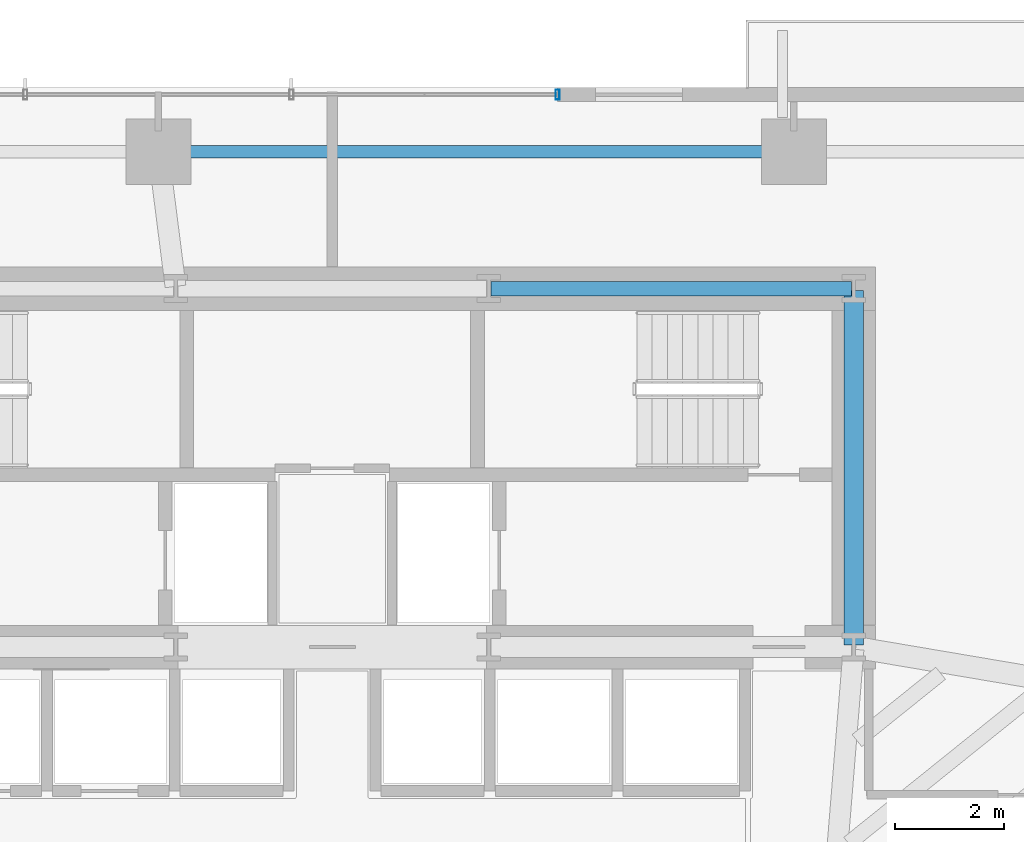
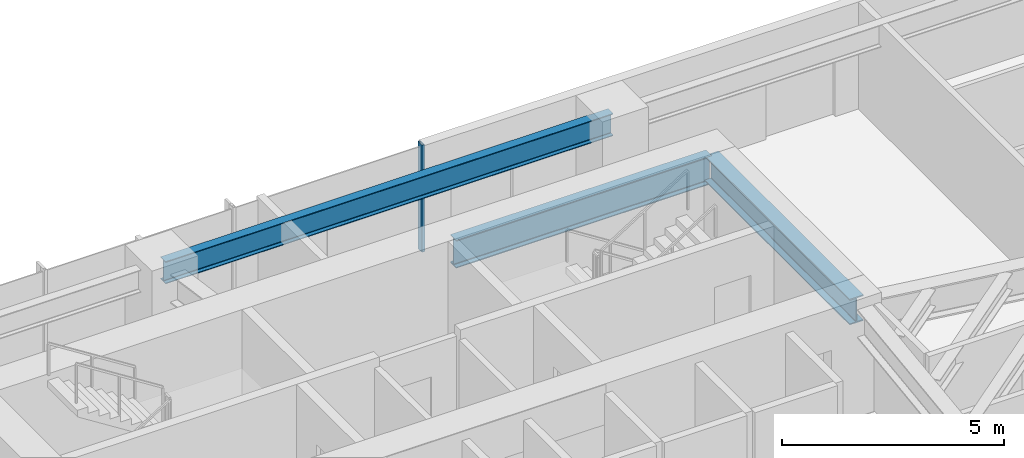
# One storey, part 15 of 25: 3 beams, 1 member, 1 element without a shape of its own.
"""IFC4 building model written with IfcOpenShell, lengths in metres."""

from ifc_helpers import new_model, si_unit, direction, frame, origin, origin_2d, place, context, subcontext, project, spatial, hollow_rectangle, i_section, extrude, source, transform, mapped, material, material_profile, profile_set, type_object, type_shapes, element, aggregate, save


model = new_model("IFC4")

# Units and contexts
model_context = context("Model", 3, precision=1e-05, world=origin(), true_north=direction((0.0, 1.0)))
body_context = subcontext(model_context, "Body", "Model", "MODEL_VIEW")
ifc_project = project(units=[si_unit("LENGTHUNIT", "METRE"), si_unit("AREAUNIT", "SQUARE_METRE"), si_unit("VOLUMEUNIT", "CUBIC_METRE"), si_unit("PLANEANGLEUNIT", "RADIAN"), si_unit("MASSUNIT", "GRAM", prefix="KILO")], contexts=[model_context])

# Site, building, storey
site_placement = place(None, origin())
site = spatial("IfcSite", under=ifc_project, at=site_placement, CompositionType="ELEMENT")
building_placement = place(site_placement, origin())
building = spatial("IfcBuilding", under=site, at=building_placement, Name="Astriad Promenade Condominiums", CompositionType="ELEMENT")
storey_placement = place(building_placement, frame((0.0, 0.0, 51.800048828125)))
storey = spatial("IfcBuildingStorey", under=building, at=storey_placement, Name="L14", CompositionType="ELEMENT", Elevation=51.800048828125)

# Beams
ifc_material_1 = material(Name="Steel ASTM A992 Grade 50", Category="steel")
ifc_material_profile_1 = material_profile(ifc_material_1, i_section(OverallWidth=0.267822265625, OverallDepth=0.76953125, WebThickness=0.015625, FlangeThickness=0.025390625, FilletRadius=0.021484375, at=origin_2d()), Name="W30X132")
ifc_profile_set_1 = profile_set([ifc_material_profile_1], Name="Steel ASTM A992 Grade 50")
beam_type_1 = type_object("IfcBeamType", Name="STEEL FLOOR GIRDER W30X132", PredefinedType="BEAM", material=ifc_profile_set_1)
shared_shape_1 = source(origin(), body_context, "Body", "SweptSolid", [
    extrude(i_section(OverallWidth=0.267822265625, OverallDepth=0.76953125, WebThickness=0.015625, FlangeThickness=0.025390625, FilletRadius=0.021484375, at=origin_2d()), origin(), (0.0, 0.0, 1.0), 6.64013671875),
])
type_shapes(beam_type_1, [shared_shape_1])
beam_1_placement = place(storey_placement, frame((38.919921875, 24.0, 2.55517578125), z_axis=(1.0, 0.0, 0.0), x_axis=(0.0, 1.0, 0.0)))
element("IfcBeam", 1, at=beam_1_placement, inside=storey, type_object=beam_type_1, Name="Core Ring Beam CG-N3-L14", PredefinedType="BEAM", context=body_context, shape_type="MappedRepresentation", body=[
    mapped(shared_shape_1, transform((0.0, 0.0, 0.0), scale=1.0)),
])
ifc_material_profile_2 = material_profile(ifc_material_1, i_section(OverallWidth=0.35791015625, OverallDepth=0.706298828125, WebThickness=0.018310546875, FlangeThickness=0.0302734375, FilletRadius=0.020263671875, at=origin_2d()), Name="W27X178")
ifc_profile_set_2 = profile_set([ifc_material_profile_2], Name="Steel ASTM A992 Grade 50")
beam_type_2 = type_object("IfcBeamType", Name="STEEL FLOOR GIRDER W27X178", PredefinedType="BEAM", material=ifc_profile_set_2)
shared_shape_2 = source(origin(), body_context, "Body", "SweptSolid", [
    extrude(i_section(OverallWidth=0.35791015625, OverallDepth=0.706298828125, WebThickness=0.018310546875, FlangeThickness=0.0302734375, FilletRadius=0.020263671875, at=origin_2d()), origin(), (0.0, 0.0, 1.0), 6.52001953125),
])
type_shapes(beam_type_2, [shared_shape_2])
beam_2_placement = place(storey_placement, frame((45.60009765625, 17.43994140625, 2.586669921875), z_axis=(0.0, 1.0, 0.0), x_axis=(-1.0, 0.0, 0.0)))
element("IfcBeam", 2, at=beam_2_placement, inside=storey, type_object=beam_type_2, Name="Core Ring Beam CG-E1-L14", PredefinedType="BEAM", context=body_context, shape_type="MappedRepresentation", body=[
    mapped(shared_shape_2, transform((0.0, 0.0, 0.0), scale=1.0)),
])
ifc_material_profile_3 = material_profile(ifc_material_1, i_section(OverallWidth=0.22900390625, OverallDepth=0.612060546875, WebThickness=0.011962890625, FlangeThickness=0.01953125, FilletRadius=0.017822265625, at=origin_2d()), Name="W24X84")
ifc_profile_set_3 = profile_set([ifc_material_profile_3], Name="Steel ASTM A992 Grade 50")
beam_type_3 = type_object("IfcBeamType", Name="STEEL SPANDREL BEAM W24X84", PredefinedType="SPANDREL", material=ifc_profile_set_3)
shared_shape_3 = source(origin(), body_context, "Body", "SweptSolid", [
    extrude(i_section(OverallWidth=0.22900390625, OverallDepth=0.612060546875, WebThickness=0.011962890625, FlangeThickness=0.01953125, FilletRadius=0.017822265625, at=origin_2d()), origin(), (0.0, 0.0, 1.0), 11.619873046875),
])
type_shapes(beam_type_3, [shared_shape_3])
beam_3_placement = place(storey_placement, frame((44.4599609375, 26.52001953125, 2.634033203125), z_axis=(-1.0, 0.0, 0.0), x_axis=(0.0, -1.0, 0.0)))
element("IfcBeam", 3, at=beam_3_placement, inside=storey, type_object=beam_type_3, Name="Perimeter Spandrel Beam SP-N3-L14", PredefinedType="SPANDREL", context=body_context, shape_type="MappedRepresentation", body=[
    mapped(shared_shape_3, transform((0.0, 0.0, 0.0), scale=1.0)),
])

# Curtain wall, member
ifc_material_2 = material(Name="Anodised aluminium Black Dark Glass Unitised", Category="aluminium")
curtain_wall_type = type_object("IfcCurtainWallType", Name="CW-B1-DARK", PredefinedType="USERDEFINED", material=ifc_material_2)
curtain_wall_placement = place(storey_placement, origin())
curtain_wall = element("IfcCurtainWall", 4, at=curtain_wall_placement, inside=storey, type_object=curtain_wall_type, Name="CW-L14-N", ObjectType="UNITISED_CURTAIN_WALL", PredefinedType="USERDEFINED")
ifc_material_3 = material(Name="Anodised aluminium 6063-T6 Black", Category="aluminium")
ifc_material_profile_4 = material_profile(ifc_material_3, hollow_rectangle(XDim=0.074951171875, YDim=0.18505859375, WallThickness=0.00439453125, at=origin_2d()), Name="ALU-MUL-75X185")
ifc_profile_set_4 = profile_set([ifc_material_profile_4], Name="Anodised aluminium 6063-T6 Black")
member_type = type_object("IfcMemberType", Name="MUL-ALU-MUL-75X185", PredefinedType="MULLION", material=ifc_profile_set_4)
shared_shape_4 = source(origin(), body_context, "Body", "SweptSolid", [
    extrude(hollow_rectangle(XDim=0.074951171875, YDim=0.18505859375, WallThickness=0.00439453125, at=origin_2d()), origin(), (0.0, 0.0, 1.0), 2.93994140625),
])
type_shapes(member_type, [shared_shape_4])
member_placement = place(storey_placement, frame((40.14990234375, 27.570068359375, 0.0), z_axis=(0.0, 0.0, 1.0), x_axis=(1.0, 0.0, 0.0)))
member = element("IfcMember", 5, at=member_placement, type_object=member_type, Name="CW-L14-N-MUL-03", PredefinedType="MULLION", context=body_context, shape_type="MappedRepresentation", body=[
    mapped(shared_shape_4, transform((0.0, 0.0, 0.0), scale=1.0)),
])
aggregate(curtain_wall, [member])

save(model, "model.ifc")
